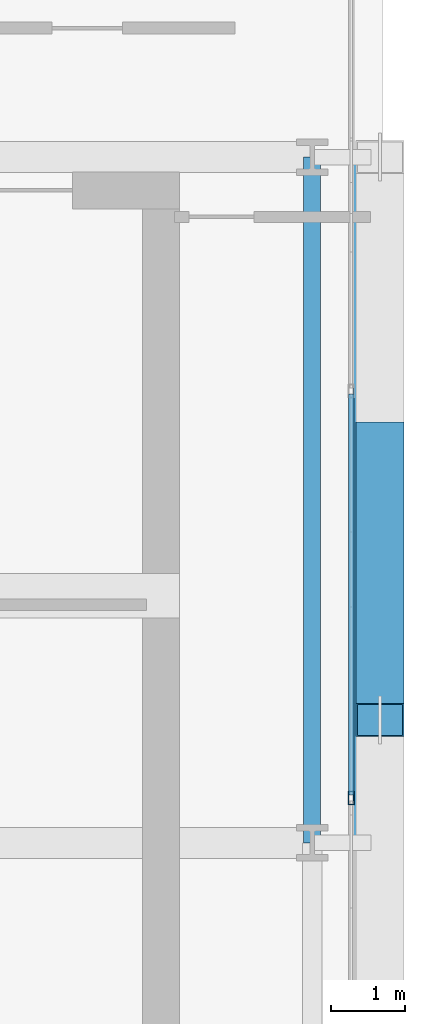
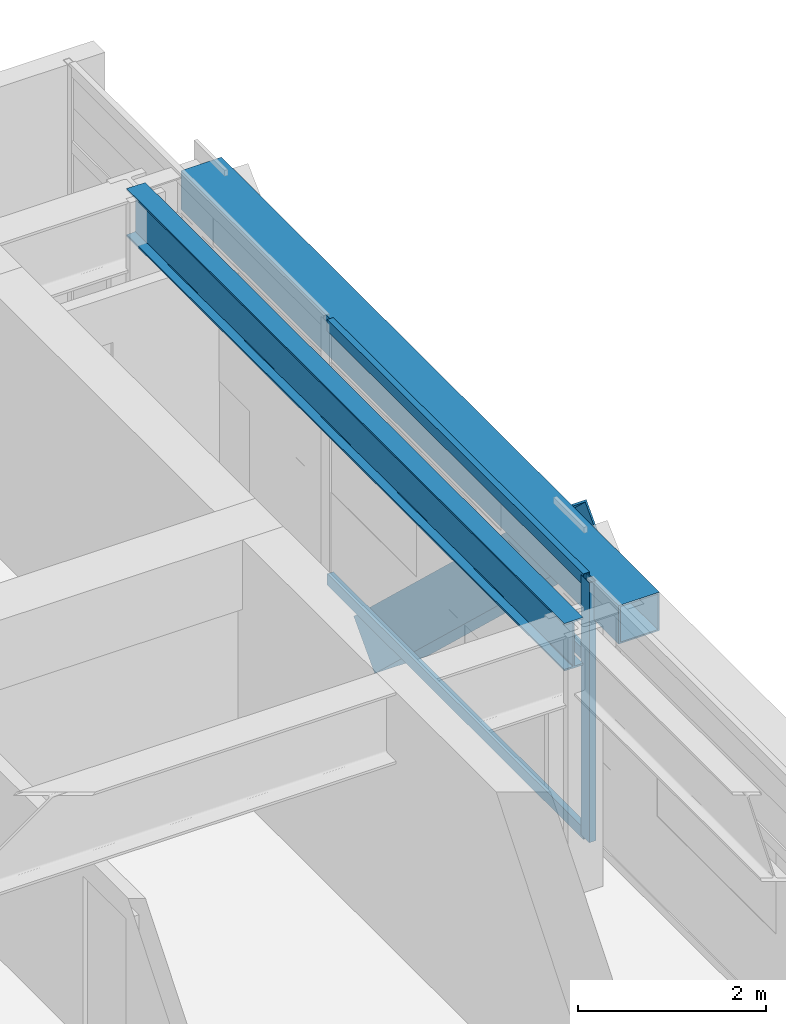
# One storey, part 15 of 34: 5 members, 2 beams, 1 element without a shape of its own.
"""IFC4 building model written with IfcOpenShell, lengths in metres."""

from ifc_helpers import new_model, si_unit, direction, frame, origin, origin_2d, place, context, subcontext, project, spatial, hollow_rectangle, i_section, extrude, source, transform, mapped, material, layer, layer_set, material_profile, profile_set, type_object, element, aggregate, save


model = new_model("IFC4")

# Units and contexts
model_context = context("Model", 3, precision=1e-05, world=origin(), true_north=direction((0.0, 1.0)))
body_context = subcontext(model_context, "Body", "Model", "MODEL_VIEW")
ifc_project = project(units=[si_unit("LENGTHUNIT", "METRE"), si_unit("AREAUNIT", "SQUARE_METRE"), si_unit("VOLUMEUNIT", "CUBIC_METRE"), si_unit("PLANEANGLEUNIT", "RADIAN"), si_unit("MASSUNIT", "GRAM", prefix="KILO")], contexts=[model_context])

# Site, building, storey
site_placement = place(None, origin())
site = spatial("IfcSite", under=ifc_project, at=site_placement, CompositionType="ELEMENT")
building_placement = place(site_placement, origin())
building = spatial("IfcBuilding", under=site, at=building_placement, Name="Ocotamira Hotel", CompositionType="ELEMENT")
storey_placement = place(building_placement, frame((0.0, 0.0, 163.199951171875)))
storey = spatial("IfcBuildingStorey", under=building, at=storey_placement, Name="L40", CompositionType="ELEMENT", Elevation=163.199951171875)

# Beams
ifc_material_1 = material(Name="Steel ASTM A992 Grade 50", Category="steel")
ifc_material_profile_1 = material_profile(ifc_material_1, i_section(OverallWidth=0.22998046875, OverallDepth=0.616943359375, WebThickness=0.01318359375, FlangeThickness=0.022216796875, FilletRadius=0.012939453125, at=origin_2d()), Name="W24X94")
ifc_profile_set_1 = profile_set([ifc_material_profile_1], Name="Steel ASTM A992 Grade 50")
beam_type_1 = type_object("IfcBeamType", Name="BM-PRIM-W24X94", PredefinedType="BEAM", material=ifc_profile_set_1)
shared_shape_1 = source(origin(), body_context, "Body", "SweptSolid", [
    extrude(i_section(OverallWidth=0.22998046875, OverallDepth=0.616943359375, WebThickness=0.01318359375, FlangeThickness=0.022216796875, FilletRadius=0.012939453125, at=origin_2d()), origin(), (0.0, 0.0, 1.0), 9.300048828125),
])
beam_1_placement = place(storey_placement, frame((55.050048828125, 28.14990234375, 3.0615234375), z_axis=(0.0, 1.0, 0.0), x_axis=(-1.0, 0.0, 0.0)))
element("IfcBeam", 1, at=beam_1_placement, inside=storey, type_object=beam_type_1, Name="L40 Beam X55.05 Y28.15-37.45", PredefinedType="BEAM", context=body_context, shape_type="MappedRepresentation", body=[
    mapped(shared_shape_1, transform((0.0, 0.0, 0.0), scale=1.0)),
])
ifc_material_2 = material(Name="Steel ASTM A500 Grade C", Category="steel")
ifc_material_profile_2 = material_profile(ifc_material_2, hollow_rectangle(XDim=0.5, YDim=0.5, WallThickness=0.02001953125, at=origin_2d()), Name="HSS500X500X20")
ifc_profile_set_2 = profile_set([ifc_material_profile_2], Name="Steel ASTM A500 Grade C")
beam_type_2 = type_object("IfcBeamType", Name="BM-SPAN-HSS500", PredefinedType="USERDEFINED", material=ifc_profile_set_2)
shared_shape_2 = source(origin(), body_context, "Body", "SweptSolid", [
    extrude(hollow_rectangle(XDim=0.5, YDim=0.5, WallThickness=0.02001953125, at=origin_2d()), origin(), (0.0, 0.0, 1.0), 9.300048828125),
])
beam_2_placement = place(storey_placement, frame((55.85009765625, 28.14990234375, 3.1201171875), z_axis=(0.0, 1.0, 0.0), x_axis=(-1.0, 0.0, 0.0)))
element("IfcBeam", 2, at=beam_2_placement, inside=storey, type_object=beam_type_2, Name="L40 Edge Spandrel E Y28.15-37.45", ObjectType="SPANDREL", PredefinedType="USERDEFINED", context=body_context, shape_type="MappedRepresentation", body=[
    mapped(shared_shape_2, transform((0.0, 0.0, 0.0), scale=1.0)),
])

# Member
ifc_material_3 = material(Name="Pale-metal coated steel ASTM A913 Grade 65", Category="steel")
ifc_material_profile_3 = material_profile(ifc_material_3, hollow_rectangle(XDim=0.64990234375, YDim=0.64990234375, WallThickness=0.02197265625, at=origin_2d()), Name="BOX650X650X22")
ifc_profile_set_3 = profile_set([ifc_material_profile_3], Name="Pale-metal coated steel ASTM A913 Grade 65")
member_type_1 = type_object("IfcMemberType", Name="MEM-EXO-BOX650", PredefinedType="BRACE", material=ifc_profile_set_3)
shared_shape_3 = source(origin(), body_context, "Body", "SweptSolid", [
    extrude(hollow_rectangle(XDim=0.64990234375, YDim=0.64990234375, WallThickness=0.02197265625, at=origin_2d()), origin(), (0.0, 0.0, 1.0), 5.24658203125),
])
member_1_placement = place(storey_placement, frame((55.969970703125, 33.63330078125, -0.47998046875), z_axis=(0.0, -0.727442733726, 0.686168397078), x_axis=(1.0, 0.0, 0.0)))
element("IfcMember", 3, at=member_1_placement, inside=storey, type_object=member_type_1, Name="L40 Exoskeleton Diagrid E2.1", PredefinedType="BRACE", context=body_context, shape_type="MappedRepresentation", body=[
    mapped(shared_shape_3, transform((0.0, 0.0, 0.0), scale=1.0)),
])

# Curtain wall, members
ifc_material_4 = material(Name="Anodised pale-metal aluminium and solar glass", Category="aluminium")
ifc_layer = layer(ifc_material_4, 0.199951171875)
ifc_layer_set = layer_set([ifc_layer], Name="Anodised pale-metal aluminium and solar glass")
curtain_wall_type = type_object("IfcCurtainWallType", Name="CW-SYS4-Z3", PredefinedType="NOTDEFINED", material=ifc_layer_set)
curtain_wall_placement = place(storey_placement, origin())
curtain_wall = element("IfcCurtainWall", 4, at=curtain_wall_placement, inside=storey, type_object=curtain_wall_type, Name="L40 Curtain Wall CW-4 CW-L40-E", PredefinedType="NOTDEFINED")
ifc_material_5 = material(Name="Anodised pale-metal aluminium 6063-T6", Category="aluminium")
ifc_material_profile_4 = material_profile(ifc_material_5, hollow_rectangle(XDim=0.080078125, YDim=0.179931640625, WallThickness=0.006103515625, at=origin_2d()), Name="HSS180X80X6")
ifc_profile_set_4 = profile_set([ifc_material_profile_4], Name="Anodised pale-metal aluminium 6063-T6")
member_type_2 = type_object("IfcMemberType", Name="CWM-180X75", PredefinedType="MULLION", material=ifc_profile_set_4)
shared_shape_4 = source(origin(), body_context, "Body", "SweptSolid", [
    extrude(hollow_rectangle(XDim=0.080078125, YDim=0.179931640625, WallThickness=0.006103515625, at=origin_2d()), origin(), (0.0, 0.0, 1.0), 3.3701171875),
])
member_2_placement = place(storey_placement, frame((55.580078125, 28.760009765625, 0.0), z_axis=(0.0, 0.0, 1.0), x_axis=(-1.0, 0.0, 0.0)))
member_2 = element("IfcMember", 5, at=member_2_placement, type_object=member_type_2, Name="CW-4 mullion 4", PredefinedType="MULLION", context=body_context, shape_type="MappedRepresentation", body=[
    mapped(shared_shape_4, transform((0.0, 0.0, 0.0), scale=1.0)),
])
ifc_material_profile_5 = material_profile(ifc_material_5, hollow_rectangle(XDim=0.074951171875, YDim=0.14990234375, WallThickness=0.006103515625, at=origin_2d()), Name="HSS150X75X6")
ifc_profile_set_5 = profile_set([ifc_material_profile_5], Name="Anodised pale-metal aluminium 6063-T6")
member_type_3 = type_object("IfcMemberType", Name="CWT-150X75", PredefinedType="USERDEFINED", material=ifc_profile_set_5)
shared_shape_5 = source(origin(), body_context, "Body", "SweptSolid", [
    extrude(hollow_rectangle(XDim=0.074951171875, YDim=0.14990234375, WallThickness=0.006103515625, at=origin_2d()), origin(), (0.0, 0.0, 1.0), 5.43994140625),
])
member_3_placement = place(storey_placement, frame((55.580078125, 28.800048828125, 0.03759765625), z_axis=(0.0, 1.0, 0.0), x_axis=(-1.0, 0.0, 0.0)))
member_3 = element("IfcMember", 6, at=member_3_placement, type_object=member_type_3, Name="CW-4 transom 4.1", ObjectType="TRANSOM", PredefinedType="USERDEFINED", context=body_context, shape_type="MappedRepresentation", body=[
    mapped(shared_shape_5, transform((0.0, 0.0, 0.0), scale=1.0)),
])
member_4_placement = place(storey_placement, frame((55.580078125, 28.800048828125, 2.35009765625), z_axis=(0.0, 1.0, 0.0), x_axis=(-1.0, 0.0, 0.0)))
member_4 = element("IfcMember", 7, at=member_4_placement, type_object=member_type_3, Name="CW-4 transom 4.2", ObjectType="TRANSOM", PredefinedType="USERDEFINED", context=body_context, shape_type="MappedRepresentation", body=[
    mapped(shared_shape_5, transform((0.0, 0.0, 0.0), scale=1.0)),
])
member_5_placement = place(storey_placement, frame((55.580078125, 28.800048828125, 3.33251953125), z_axis=(0.0, 1.0, 0.0), x_axis=(-1.0, 0.0, 0.0)))
member_5 = element("IfcMember", 8, at=member_5_placement, type_object=member_type_3, Name="CW-4 transom 4.3", ObjectType="TRANSOM", PredefinedType="USERDEFINED", context=body_context, shape_type="MappedRepresentation", body=[
    mapped(shared_shape_5, transform((0.0, 0.0, 0.0), scale=1.0)),
])
aggregate(curtain_wall, [member_2, member_3, member_4, member_5])

save(model, "model.ifc")
